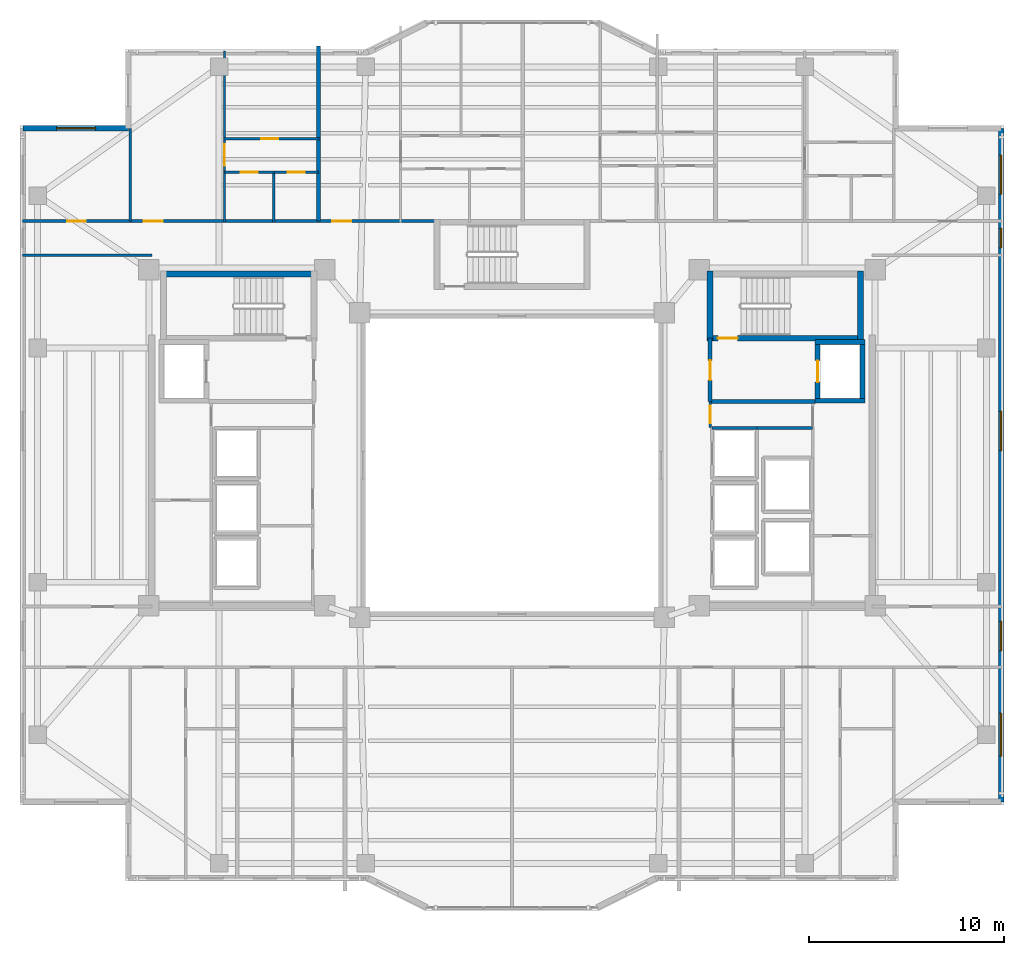
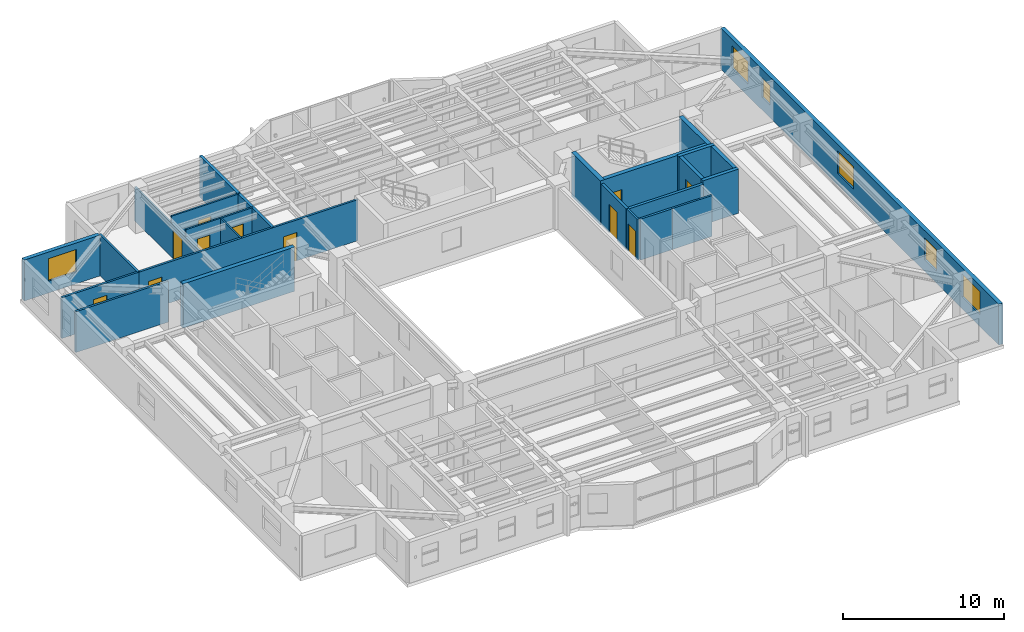
# One storey, part 9 of 16: 25 walls, 11 doors, 6 windows, 17 openings.
"""IFC4 building model written with IfcOpenShell, lengths in metres."""

import ifcopenshell
import ifcopenshell.guid

model = None  # the IFC model being written
_history = None  # IfcOwnerHistory: only IFC2X3 demands one
_inside = {}  # id of a spatial element -> (the spatial element, [elements in it])
_under = {}  # id of a project, library or spatial element -> (it, [spatial elements below it])
_declared = {}  # id of a project -> (the project, [libraries it declares])
_typed = {}  # id of a type object -> (the type object, [elements of that type])
_made_of = {}  # id of a material, layer set ... -> (it, [elements and type objects made of it])


def new_model(schema):
    """Start an empty IFC model of exactly this schema.

    Asked for "IFC4X3", IfcOpenShell would pick the latest addendum, in which some entities
    have other attributes; the version numbers below select the first issue.
    IFC2X3 requires an IfcOwnerHistory on every rooted entity: one is made here for all.
    """
    global model, _history
    if schema == "IFC4X3":
        model = ifcopenshell.file(schema_version=(4, 3, 0, 0))
    else:
        model = ifcopenshell.file(schema=schema)
    _inside.clear()
    _under.clear()
    _declared.clear()
    _typed.clear()
    _made_of.clear()
    _history = None
    if model.schema == "IFC2X3":
        org = make("IfcOrganization", Name="unknown")
        user = make(
            "IfcPersonAndOrganization",
            ThePerson=make("IfcPerson", FamilyName="unknown"),
            TheOrganization=org,
        )
        app = make(
            "IfcApplication",
            ApplicationDeveloper=org,
            Version="unknown",
            ApplicationFullName="unknown",
            ApplicationIdentifier="unknown",
        )
        _history = make(
            "IfcOwnerHistory",
            OwningUser=user,
            OwningApplication=app,
            ChangeAction="ADDED",
            CreationDate=0,
        )
    return model


def make(cls, **values):
    """One entity of the class cls with the attributes given. An attribute that is None is left unset."""
    return model.create_entity(
        cls, **{name: value for name, value in values.items() if value is not None}
    )


def rooted(cls, **values):
    """An entity with a GlobalId (a new one), such as an element, a storey or a relation."""
    return make(cls, GlobalId=ifcopenshell.guid.new(), OwnerHistory=_history, **values)


def si_unit(unit_type, name, prefix=None):
    """IfcSIUnit, for example si_unit("LENGTHUNIT", "METRE", prefix="MILLI")."""
    return make("IfcSIUnit", UnitType=unit_type, Prefix=prefix, Name=name)


def assignment(units):
    """IfcUnitAssignment: the units of a project."""
    return None if units is None else make("IfcUnitAssignment", Units=units)


def point(xyz):
    """IfcCartesianPoint."""
    return None if xyz is None else make("IfcCartesianPoint", Coordinates=xyz)


def direction(xyz):
    """IfcDirection."""
    return None if xyz is None else make("IfcDirection", DirectionRatios=xyz)


def frame(location, z_axis=None, x_axis=None):
    """IfcAxis2Placement3D, a coordinate frame: its origin and axes. An axis left out is left unset."""
    return make(
        "IfcAxis2Placement3D",
        Location=point(location),
        Axis=direction(z_axis),
        RefDirection=direction(x_axis),
    )


def frame_2d(location, x_axis=None):
    """IfcAxis2Placement2D, a coordinate frame in the plane: its origin and x axis."""
    return make(
        "IfcAxis2Placement2D", Location=point(location), RefDirection=direction(x_axis)
    )


def origin():
    """The frame at (0, 0, 0) with its axes left unset."""
    return frame((0.0, 0.0, 0.0))


def place(relative_to, where):
    """IfcLocalPlacement: puts the frame where relative to a parent placement (None: the world)."""
    return make(
        "IfcLocalPlacement", PlacementRelTo=relative_to, RelativePlacement=where
    )


def context(
    kind, dimensions, precision=None, world=None, true_north=None, identifier=None
):
    """IfcGeometricRepresentationContext, for example the 3D "Model" context."""
    return make(
        "IfcGeometricRepresentationContext",
        ContextIdentifier=identifier,
        ContextType=kind,
        CoordinateSpaceDimension=dimensions,
        Precision=precision,
        WorldCoordinateSystem=world,
        TrueNorth=true_north,
    )


def subcontext(parent, identifier, kind, view, scale=None):
    """IfcGeometricRepresentationSubContext, for example "Body" below "Model"."""
    return make(
        "IfcGeometricRepresentationSubContext",
        ContextIdentifier=identifier,
        ContextType=kind,
        ParentContext=parent,
        TargetScale=scale,
        TargetView=view,
    )


def project(units=None, contexts=None):
    """IfcProject with its units and contexts."""
    return rooted(
        "IfcProject",
        Name="project",
        RepresentationContexts=contexts,
        UnitsInContext=assignment(units),
    )


def spatial(cls, under=None, at=None, **own):
    """A site, building, storey or space (cls), placed at a placement, below another one or the project."""
    s = rooted(cls, ObjectPlacement=at, **own)
    if under is not None:
        _under.setdefault(under.id(), (under, []))[1].append(s)
    return s


def profile(cls, at=None, kind="AREA", **sizes):
    """A parametric profile (cls). Its sizes go by their IFC names, for example OverallWidth=200.0."""
    return make(cls, ProfileType=kind, Position=at, **sizes)


def rectangle(**sizes):
    """IfcRectangleProfileDef."""
    return profile("IfcRectangleProfileDef", **sizes)


def extrude(swept, where, along, depth):
    """IfcExtrudedAreaSolid: the profile swept, set in the frame where, extruded along a direction by depth."""
    return make(
        "IfcExtrudedAreaSolid",
        SweptArea=swept,
        Position=where,
        ExtrudedDirection=direction(along),
        Depth=depth,
    )


def shape(context_of_items, identifier, shape_type, items):
    """IfcShapeRepresentation: the items that make up one representation, for example the "Body"."""
    return make(
        "IfcShapeRepresentation",
        ContextOfItems=context_of_items,
        RepresentationIdentifier=identifier,
        RepresentationType=shape_type,
        Items=items,
    )


def material(Name=None, Category=None):
    """IfcMaterial."""
    return make("IfcMaterial", Name=Name, Category=Category)


def layer(
    of_material, thickness, ventilated=None, Name=None, Category=None, Priority=None
):
    """IfcMaterialLayer: one layer of a wall or slab, of a material (None: an air gap)."""
    return make(
        "IfcMaterialLayer",
        Material=of_material,
        LayerThickness=thickness,
        IsVentilated=ventilated,
        Name=Name,
        Category=Category,
        Priority=Priority,
    )


def layer_set(layers, Name=None):
    """IfcMaterialLayerSet."""
    return make("IfcMaterialLayerSet", MaterialLayers=layers, LayerSetName=Name)


def made_of(thing, what):
    """Note that an element or type object is made of a material, layer set ...; save() writes the relation."""
    if what is not None:
        _made_of.setdefault(what.id(), (what, []))[1].append(thing)
    return thing


def type_object(cls, material=None, **own):
    """A type object (cls), such as IfcWallType, which elements share."""
    return made_of(rooted(cls, **own), material)


def element(
    cls,
    number,
    at=None,
    inside=None,
    cuts=None,
    type_object=None,
    material=None,
    context=None,
    identifier="Body",
    shape_type=None,
    held_by="IfcProductDefinitionShape",
    body=None,
    shapes=None,
    **own,
):
    """One element of the class cls, such as IfcWall. Its Tag is "e" and its number.

    at: its placement. inside: the storey or other place that contains it. cuts: it is an
    opening in that element (IfcRelVoidsElement). A single representation is given by context,
    identifier, shape_type and body (its items); several are given by shapes. held_by: the class
    of the entity that holds the representations. save() writes the other relations.
    """
    e = rooted(cls, Tag="e%d" % number, ObjectPlacement=at, **own)
    if body is not None:
        shapes = [shape(context, identifier, shape_type, body)]
    if shapes is not None:
        e.Representation = make(held_by, Representations=shapes)
    if inside is not None:
        _inside.setdefault(inside.id(), (inside, []))[1].append(e)
    if cuts is not None:
        rooted(
            "IfcRelVoidsElement", RelatingBuildingElement=cuts, RelatedOpeningElement=e
        )
    if type_object is not None:
        _typed.setdefault(type_object.id(), (type_object, []))[1].append(e)
    return made_of(e, material)


def fill(opening, filler):
    """IfcRelFillsElement: the door or window that sits in an opening."""
    return rooted(
        "IfcRelFillsElement",
        RelatingOpeningElement=opening,
        RelatedBuildingElement=filler,
    )


def aggregate(whole, parts):
    """IfcRelAggregates: a whole, such as a stair, and the parts it consists of."""
    return rooted("IfcRelAggregates", RelatingObject=whole, RelatedObjects=parts)


def save(model, path):
    """Write the relations noted so far, then the file.

    IfcRelAggregates (storeys below a building ...), IfcRelContainedInSpatialStructure (elements
    in a storey), IfcRelDefinesByType, IfcRelAssociatesMaterial and IfcRelDeclares: one each for
    every whole, place, type object, material and project.
    """
    for whole, parts in _under.values():
        aggregate(whole, parts)
    for where, things in _inside.values():
        rooted(
            "IfcRelContainedInSpatialStructure",
            RelatedElements=things,
            RelatingStructure=where,
        )
    for kind, things in _typed.values():
        rooted("IfcRelDefinesByType", RelatedObjects=things, RelatingType=kind)
    for what, things in _made_of.values():
        rooted("IfcRelAssociatesMaterial", RelatedObjects=things, RelatingMaterial=what)
    for by, libraries in _declared.values():
        rooted("IfcRelDeclares", RelatingContext=by, RelatedDefinitions=libraries)
    model.write(path)


model = new_model("IFC4")

# Units and contexts
model_context = context("Model", 3, precision=1e-05, world=origin(), true_north=direction((0.0, 1.0)))
body_context = subcontext(model_context, "Body", "Model", "MODEL_VIEW")
ifc_project = project(units=[si_unit("LENGTHUNIT", "METRE"), si_unit("AREAUNIT", "SQUARE_METRE"), si_unit("VOLUMEUNIT", "CUBIC_METRE"), si_unit("PLANEANGLEUNIT", "RADIAN"), si_unit("MASSUNIT", "GRAM", prefix="KILO")], contexts=[model_context])

# Site, building, storey
site_placement = place(None, origin())
site = spatial("IfcSite", under=ifc_project, at=site_placement, CompositionType="ELEMENT")
building_placement = place(site_placement, origin())
building = spatial("IfcBuilding", under=site, at=building_placement, Name="Tarnavaz Court Tower", CompositionType="ELEMENT")
storey_placement = place(building_placement, frame((0.0, 0.0, 156.050048828125)))
storey = spatial("IfcBuildingStorey", under=building, at=storey_placement, Name="L42", CompositionType="ELEMENT", Elevation=156.050048828125)

# Wall, opening, door
ifc_material_1 = material(Name="Concrete C50/60", Category="concrete")
ifc_layer_1 = layer(ifc_material_1, 0.25)
ifc_layer_set_1 = layer_set([ifc_layer_1], Name="Concrete C50/60")
wall_type_1 = type_object("IfcWallType", Name="WL-CORE-250-C50", PredefinedType="SHEAR", material=ifc_layer_set_1)
wall_1_placement = place(storey_placement, frame((15.64990234375, 3.175048828125, 0.0), z_axis=(0.0, 0.0, 1.0), x_axis=(0.0, 1.0, 0.0)))
wall_1 = element("IfcWall", 1, at=wall_1_placement, inside=storey, type_object=wall_type_1, Name="L42 Lift FL-E1 Shaft Wall 033", PredefinedType="SHEAR", context=body_context, shape_type="SweptSolid", body=[
    extrude(rectangle(XDim=3.25, YDim=0.25, at=frame_2d((1.625, 0.0))), origin(), (0.0, 0.0, 1.0), 3.349853515625),
])
opening_1_placement = place(wall_1_placement, frame((1.074951171875, 0.0, 0.0)))
opening_1 = element("IfcOpeningElement", 2, at=opening_1_placement, cuts=wall_1, Name="Opening LD1", PredefinedType="OPENING", context=body_context, shape_type="SweptSolid", body=[
    extrude(rectangle(XDim=1.10009765625, YDim=2.14990234375, at=frame_2d((0.550048828125, 1.074951171875))), frame((0.0, 0.135009765625, 0.0), z_axis=(0.0, -1.0, 0.0), x_axis=(1.0, 0.0, 0.0)), (0.0, 0.0, 1.0), 0.27001953125),
])
ifc_material_2 = material(Name="Stainless Steel", Category="steel")
door_type_1 = type_object("IfcDoorType", Name="DR-LD-1100", OperationType="NOTDEFINED", PredefinedType="DOOR", material=ifc_material_2)
door_1_placement = place(opening_1_placement, origin())
door_1 = element("IfcDoor", 3, at=door_1_placement, inside=storey, type_object=door_type_1, Name="L42 Lift Landing Door LD-FL-E1", OperationType="SLIDING_TO_LEFT", OverallHeight=2.14990234375, OverallWidth=1.10009765625, PredefinedType="DOOR", context=body_context, shape_type="SweptSolid", body=[
    extrude(rectangle(XDim=1.10009765625, YDim=2.14990234375, at=frame_2d((0.550048828125, 1.074951171875))), frame((0.0, 0.02490234375, 0.0), z_axis=(0.0, -1.0, 0.0), x_axis=(1.0, 0.0, 0.0)), (0.0, 0.0, 1.0), 0.050048828125),
])
fill(opening_1, door_1)

# Walls
wall_2_placement = place(storey_placement, frame((17.949951171875, 3.175048828125, 0.0), z_axis=(0.0, 0.0, 1.0), x_axis=(0.0, 1.0, 0.0)))
element("IfcWall", 4, at=wall_2_placement, inside=storey, type_object=wall_type_1, Name="L42 Lift FL-E1 Shaft Wall 034", PredefinedType="SHEAR", context=body_context, shape_type="SweptSolid", body=[
    extrude(rectangle(XDim=3.25, YDim=0.25, at=frame_2d((1.625, 0.0))), origin(), (0.0, 0.0, 1.0), 3.349853515625),
])
for number, where, z_axis, x_axis, name in (
    (5, (15.52490234375, 3.300048828125, 0.0), (0.0, 0.0, 1.0), (1.0, 0.0, 0.0), "L42 Lift FL-E1 Shaft Wall 035"),
    (6, (15.52490234375, 6.300048828125, 0.0), (0.0, 0.0, 1.0), (1.0, 0.0, 0.0), "L42 Lift FL-E1 Shaft Wall 036"),
):
    element("IfcWall", number, at=place(storey_placement, frame(where, z_axis=z_axis, x_axis=x_axis)), inside=storey, type_object=wall_type_1, Name=name, PredefinedType="SHEAR", context=body_context, shape_type="SweptSolid", body=[
        extrude(rectangle(XDim=2.550048828125, YDim=0.25, at=frame_2d((1.27490234375, 0.0))), origin(), (0.0, 0.0, 1.0), 3.349853515625),
    ])
ifc_layer_2 = layer(ifc_material_1, 0.300048828125)
ifc_layer_set_2 = layer_set([ifc_layer_2], Name="Concrete C50/60")
wall_type_2 = type_object("IfcWallType", Name="WL-CORE-300-C50", PredefinedType="SHEAR", material=ifc_layer_set_2)
wall_3_placement = place(storey_placement, frame((-18.0, 9.7900390625, 0.0), z_axis=(0.0, 0.0, 1.0), x_axis=(1.0, 0.0, 0.0)))
element("IfcWall", 7, at=wall_3_placement, inside=storey, type_object=wall_type_2, Name="L42 West Stair Core Wall 001", PredefinedType="SHEAR", context=body_context, shape_type="SweptSolid", body=[
    extrude(rectangle(XDim=8.0, YDim=0.300048828125, at=frame_2d((4.0, 0.0))), origin(), (0.0, 0.0, 1.0), 3.349853515625),
])

# Wall, opening, door
wall_4_placement = place(storey_placement, frame((10.0, 6.5, 0.0), z_axis=(0.0, 0.0, 1.0), x_axis=(1.0, 0.0, 0.0)))
wall_4 = element("IfcWall", 8, at=wall_4_placement, inside=storey, type_object=wall_type_2, Name="L42 East Stair Core Wall 006", PredefinedType="SHEAR", context=body_context, shape_type="SweptSolid", body=[
    extrude(rectangle(XDim=8.0, YDim=0.300048828125, at=frame_2d((4.0, 0.0))), origin(), (0.0, 0.0, 1.0), 3.349853515625),
])
opening_2_placement = place(wall_4_placement, frame((0.550048828125, 0.0, 0.0)))
opening_2 = element("IfcOpeningElement", 9, at=opening_2_placement, cuts=wall_4, Name="Opening D01", PredefinedType="OPENING", context=body_context, shape_type="SweptSolid", body=[
    extrude(rectangle(XDim=1.0, YDim=2.14990234375, at=frame_2d((0.5, 1.074951171875))), frame((0.0, 0.159912109375, 0.0), z_axis=(0.0, -1.0, 0.0), x_axis=(1.0, 0.0, 0.0)), (0.0, 0.0, 1.0), 0.320068359375),
])
ifc_material_3 = material(Name="Fire-Rated Hardwood Timber Core", Category="wood")
door_type_2 = type_object("IfcDoorType", Name="DR-FD90-1000", OperationType="NOTDEFINED", PredefinedType="DOOR", material=ifc_material_3)
door_2_placement = place(opening_2_placement, origin())
door_2 = element("IfcDoor", 10, at=door_2_placement, inside=storey, type_object=door_type_2, Name="L42 Stair ST-E1 Exit Door", OperationType="SINGLE_SWING_RIGHT", OverallHeight=2.14990234375, OverallWidth=1.0, PredefinedType="DOOR", context=body_context, shape_type="SweptSolid", body=[
    extrude(rectangle(XDim=1.0, YDim=2.14990234375, at=frame_2d((0.5, 1.074951171875))), frame((0.0, 0.02490234375, 0.0), z_axis=(0.0, -1.0, 0.0), x_axis=(1.0, 0.0, 0.0)), (0.0, 0.0, 1.0), 0.050048828125),
])
fill(opening_2, door_2)

# Walls
for number, where, z_axis, x_axis, name in (
    (11, (10.14990234375, 6.35009765625, 0.0), (0.0, 0.0, 1.0), (0.0, 1.0, 0.0), "L42 East Stair Core Wall 007"),
    (12, (17.85009765625, 6.35009765625, 0.0), (0.0, 0.0, 1.0), (0.0, 1.0, 0.0), "L42 East Stair Core Wall 008"),
):
    element("IfcWall", number, at=place(storey_placement, frame(where, z_axis=z_axis, x_axis=x_axis)), inside=storey, type_object=wall_type_2, Name=name, PredefinedType="SHEAR", context=body_context, shape_type="SweptSolid", body=[
        extrude(rectangle(XDim=3.58984375, YDim=0.300048828125, at=frame_2d((1.794921875, 0.0))), origin(), (0.0, 0.0, 1.0), 3.349853515625),
    ])

# Wall, opening, window
ifc_material_4 = material(Name="Precast Concrete C40/50", Category="concrete")
ifc_layer_3 = layer(ifc_material_4, 0.280029296875)
ifc_layer_set_3 = layer_set([ifc_layer_3], Name="Precast Concrete C40/50")
wall_type_3 = type_object("IfcWallType", Name="WL-EXT-280", PredefinedType="SOLIDWALL", material=ifc_layer_set_3)
wall_5_placement = place(storey_placement, frame((-25.050048828125, 17.25, 0.0), z_axis=(0.0, 0.0, 1.0), x_axis=(1.0, 0.0, 0.0)))
wall_5 = element("IfcWall", 13, at=wall_5_placement, inside=storey, type_object=wall_type_3, Name="L42 Exterior Terracotta Facade Wall 03", PredefinedType="SOLIDWALL", context=body_context, shape_type="SweptSolid", body=[
    extrude(rectangle(XDim=5.400146484375, YDim=0.280029296875, at=frame_2d((2.7001953125, 0.0))), origin(), (0.0, 0.0, 1.0), 3.099853515625),
])
opening_3_placement = place(wall_5_placement, frame((1.72509765625, 0.0, 0.89990234375)))
opening_3 = element("IfcOpeningElement", 14, at=opening_3_placement, cuts=wall_5, Name="Opening W08", PredefinedType="OPENING", context=body_context, shape_type="SweptSolid", body=[
    extrude(rectangle(XDim=2.0, YDim=1.699951171875, at=frame_2d((1.0, 0.85009765625))), frame((0.0, 0.14990234375, 0.0), z_axis=(0.0, -1.0, 0.0), x_axis=(1.0, 0.0, 0.0)), (0.0, 0.0, 1.0), 0.300048828125),
])
ifc_material_5 = material(Name="Double-Glazed Solar Low-E Glass", Category="glass")
window_type_1 = type_object("IfcWindowType", Name="WN-APT-2000", PartitioningType="DOUBLE_PANEL_VERTICAL", PredefinedType="WINDOW", material=ifc_material_5)
window_1_placement = place(opening_3_placement, origin())
window_1 = element("IfcWindow", 15, at=window_1_placement, inside=storey, type_object=window_type_1, Name="L42 North-West Corner Sunroom Study Window", OverallHeight=1.699951171875, OverallWidth=2.0, PartitioningType="SINGLE_PANEL", PredefinedType="WINDOW", context=body_context, shape_type="SweptSolid", body=[
    extrude(rectangle(XDim=2.0, YDim=1.699951171875, at=frame_2d((1.0, 0.85009765625))), frame((0.0, 0.030029296875, 0.0), z_axis=(0.0, -1.0, 0.0), x_axis=(1.0, 0.0, 0.0)), (0.0, 0.0, 1.0), 0.06005859375),
])
fill(opening_3, window_1)

# Wall, openings, windows
wall_6_placement = place(storey_placement, frame((25.050048828125, 17.25, 0.0), z_axis=(0.0, 0.0, 1.0), x_axis=(0.0, -1.0, 0.0)))
wall_6 = element("IfcWall", 16, at=wall_6_placement, inside=storey, type_object=wall_type_3, Name="L42 Exterior Terracotta Facade Wall 12", PredefinedType="SOLIDWALL", context=body_context, shape_type="SweptSolid", body=[
    extrude(rectangle(XDim=34.5, YDim=0.280029296875, at=frame_2d((17.25, 0.0))), origin(), (0.0, 0.0, 1.0), 3.099853515625),
])
opening_4_placement = place(wall_6_placement, frame((1.375, 0.0, 0.89990234375)))
opening_4 = element("IfcOpeningElement", 17, at=opening_4_placement, cuts=wall_6, Name="Opening W08", PredefinedType="OPENING", context=body_context, shape_type="SweptSolid", body=[
    extrude(rectangle(XDim=2.0, YDim=1.699951171875, at=frame_2d((1.0, 0.85009765625))), frame((0.0, 0.14990234375, 0.0), z_axis=(0.0, -1.0, 0.0), x_axis=(1.0, 0.0, 0.0)), (0.0, 0.0, 1.0), 0.300048828125),
])
opening_5_placement = place(wall_6_placement, frame((5.125, 0.0, 0.949951171875)))
opening_5 = element("IfcOpeningElement", 18, at=opening_5_placement, cuts=wall_6, Name="Opening W14", PredefinedType="OPENING", context=body_context, shape_type="SweptSolid", body=[
    extrude(rectangle(XDim=1.0, YDim=1.5, at=frame_2d((0.5, 0.75))), frame((0.0, 0.14990234375, 0.0), z_axis=(0.0, -1.0, 0.0), x_axis=(1.0, 0.0, 0.0)), (0.0, 0.0, 1.0), 0.300048828125),
])
opening_6_placement = place(wall_6_placement, frame((14.5, 0.0, 0.89990234375)))
opening_6 = element("IfcOpeningElement", 19, at=opening_6_placement, cuts=wall_6, Name="Opening W08", PredefinedType="OPENING", context=body_context, shape_type="SweptSolid", body=[
    extrude(rectangle(XDim=2.0, YDim=1.699951171875, at=frame_2d((1.0, 0.85009765625))), frame((0.0, 0.14990234375, 0.0), z_axis=(0.0, -1.0, 0.0), x_axis=(1.0, 0.0, 0.0)), (0.0, 0.0, 1.0), 0.300048828125),
])
opening_7_placement = place(wall_6_placement, frame((25.257568359375, 0.0, 0.89990234375)))
opening_7 = element("IfcOpeningElement", 20, at=opening_7_placement, cuts=wall_6, Name="Opening W03", PredefinedType="OPENING", context=body_context, shape_type="SweptSolid", body=[
    extrude(rectangle(XDim=1.5, YDim=1.64990234375, at=frame_2d((0.75, 0.824951171875))), frame((0.0, 0.14990234375, 0.0), z_axis=(0.0, -1.0, 0.0), x_axis=(1.0, 0.0, 0.0)), (0.0, 0.0, 1.0), 0.300048828125),
])
opening_8_placement = place(wall_6_placement, frame((29.949951171875, 0.0, 0.89990234375)))
opening_8 = element("IfcOpeningElement", 21, at=opening_8_placement, cuts=wall_6, Name="Opening W07", PredefinedType="OPENING", context=body_context, shape_type="SweptSolid", body=[
    extrude(rectangle(XDim=2.199951171875, YDim=1.75, at=frame_2d((1.10009765625, 0.875))), frame((0.0, 0.14990234375, 0.0), z_axis=(0.0, -1.0, 0.0), x_axis=(1.0, 0.0, 0.0)), (0.0, 0.0, 1.0), 0.300048828125),
])
window_type_2 = type_object("IfcWindowType", Name="WN-APT-1000", PartitioningType="SINGLE_PANEL", PredefinedType="WINDOW", material=ifc_material_5)
window_2_placement = place(opening_5_placement, origin())
window_2 = element("IfcWindow", 22, at=window_2_placement, inside=storey, type_object=window_type_2, Name="L42 North-East Corner Corridor Window", OverallHeight=1.5, OverallWidth=1.0, PartitioningType="SINGLE_PANEL", PredefinedType="WINDOW", context=body_context, shape_type="SweptSolid", body=[
    extrude(rectangle(XDim=1.0, YDim=1.5, at=frame_2d((0.5, 0.75))), frame((0.0, 0.030029296875, 0.0), z_axis=(0.0, -1.0, 0.0), x_axis=(1.0, 0.0, 0.0)), (0.0, 0.0, 1.0), 0.06005859375),
])
fill(opening_5, window_2)
window_type_3 = type_object("IfcWindowType", Name="WN-APT-1500", PartitioningType="DOUBLE_PANEL_VERTICAL", PredefinedType="WINDOW", material=ifc_material_5)
window_3_placement = place(opening_7_placement, origin())
window_3 = element("IfcWindow", 23, at=window_3_placement, inside=storey, type_object=window_type_3, Name="L42 South-East Corner Corridor Window", OverallHeight=1.64990234375, OverallWidth=1.5, PartitioningType="SINGLE_PANEL", PredefinedType="WINDOW", context=body_context, shape_type="SweptSolid", body=[
    extrude(rectangle(XDim=1.5, YDim=1.64990234375, at=frame_2d((0.75, 0.824951171875))), frame((0.0, 0.030029296875, 0.0), z_axis=(0.0, -1.0, 0.0), x_axis=(1.0, 0.0, 0.0)), (0.0, 0.0, 1.0), 0.06005859375),
])
fill(opening_7, window_3)
window_4_placement = place(opening_4_placement, origin())
window_4 = element("IfcWindow", 24, at=window_4_placement, inside=storey, type_object=window_type_1, Name="L42 North-East Corner Sunroom Study Window", OverallHeight=1.699951171875, OverallWidth=2.0, PartitioningType="SINGLE_PANEL", PredefinedType="WINDOW", context=body_context, shape_type="SweptSolid", body=[
    extrude(rectangle(XDim=2.0, YDim=1.699951171875, at=frame_2d((1.0, 0.85009765625))), frame((0.0, 0.030029296875, 0.0), z_axis=(0.0, -1.0, 0.0), x_axis=(1.0, 0.0, 0.0)), (0.0, 0.0, 1.0), 0.06005859375),
])
fill(opening_4, window_4)
window_5_placement = place(opening_6_placement, origin())
window_5 = element("IfcWindow", 25, at=window_5_placement, inside=storey, type_object=window_type_1, Name="L42 East Wing Resident Fitness Lounge Window", OverallHeight=1.699951171875, OverallWidth=2.0, PartitioningType="SINGLE_PANEL", PredefinedType="WINDOW", context=body_context, shape_type="SweptSolid", body=[
    extrude(rectangle(XDim=2.0, YDim=1.699951171875, at=frame_2d((1.0, 0.85009765625))), frame((0.0, 0.030029296875, 0.0), z_axis=(0.0, -1.0, 0.0), x_axis=(1.0, 0.0, 0.0)), (0.0, 0.0, 1.0), 0.06005859375),
])
fill(opening_6, window_5)
window_type_4 = type_object("IfcWindowType", Name="WN-APT-2200", PartitioningType="TRIPLE_PANEL_VERTICAL", PredefinedType="WINDOW", material=ifc_material_5)
window_6_placement = place(opening_8_placement, origin())
window_6 = element("IfcWindow", 26, at=window_6_placement, inside=storey, type_object=window_type_4, Name="L42 South-East Corner Reading Room Window", OverallHeight=1.75, OverallWidth=2.199951171875, PartitioningType="SINGLE_PANEL", PredefinedType="WINDOW", context=body_context, shape_type="SweptSolid", body=[
    extrude(rectangle(XDim=2.199951171875, YDim=1.75, at=frame_2d((1.10009765625, 0.875))), frame((0.0, 0.030029296875, 0.0), z_axis=(0.0, -1.0, 0.0), x_axis=(1.0, 0.0, 0.0)), (0.0, 0.0, 1.0), 0.06005859375),
])
fill(opening_8, window_6)

# Wall, openings, doors
ifc_material_6 = material(Name="Gypsum Fire-Board on Acoustic Metal Stud", Category="masonry")
ifc_layer_4 = layer(ifc_material_6, 0.14990234375)
ifc_layer_set_4 = layer_set([ifc_layer_4], Name="Gypsum Fire-Board on Acoustic Metal Stud")
wall_type_4 = type_object("IfcWallType", Name="WL-FIRE-150", PredefinedType="PARTITIONING", material=ifc_layer_set_4)
wall_7_placement = place(storey_placement, frame((-19.550048828125, 12.5, 0.0), z_axis=(0.0, 0.0, 1.0), x_axis=(1.0, 0.0, 0.0)))
wall_7 = element("IfcWall", 27, at=wall_7_placement, inside=storey, type_object=wall_type_4, Name="L42 NW Wing Corridor Wall 071", PredefinedType="PARTITIONING", context=body_context, shape_type="SweptSolid", body=[
    extrude(rectangle(XDim=15.699951171875, YDim=0.14990234375, at=frame_2d((7.85009765625, 0.0))), origin(), (0.0, 0.0, 1.0), 3.099853515625),
])
opening_9_placement = place(wall_7_placement, frame((0.699951171875, 0.0, 0.0)))
opening_9 = element("IfcOpeningElement", 28, at=opening_9_placement, cuts=wall_7, Name="Opening D06", PredefinedType="OPENING", context=body_context, shape_type="SweptSolid", body=[
    extrude(rectangle(XDim=0.9599609375, YDim=2.14990234375, at=frame_2d((0.47998046875, 1.074951171875))), frame((0.0, 0.0849609375, 0.0), z_axis=(0.0, -1.0, 0.0), x_axis=(1.0, 0.0, 0.0)), (0.0, 0.0, 1.0), 0.169921875),
])
opening_10_placement = place(wall_7_placement, frame((10.347900390625, 0.0, 0.0)))
opening_10 = element("IfcOpeningElement", 29, at=opening_10_placement, cuts=wall_7, Name="Opening D06", PredefinedType="OPENING", context=body_context, shape_type="SweptSolid", body=[
    extrude(rectangle(XDim=0.9599609375, YDim=2.14990234375, at=frame_2d((0.47998046875, 1.074951171875))), frame((0.0, 0.0849609375, 0.0), z_axis=(0.0, -1.0, 0.0), x_axis=(1.0, 0.0, 0.0)), (0.0, 0.0, 1.0), 0.169921875),
])
door_type_3 = type_object("IfcDoorType", Name="DR-FD60-950", OperationType="NOTDEFINED", PredefinedType="DOOR", material=ifc_material_3)
door_3_placement = place(opening_9_placement, origin())
door_3 = element("IfcDoor", 30, at=door_3_placement, inside=storey, type_object=door_type_3, Name="L42 Flat 01 Entrance Door", OperationType="SINGLE_SWING_LEFT", OverallHeight=2.14990234375, OverallWidth=0.9599609375, PredefinedType="DOOR", context=body_context, shape_type="SweptSolid", body=[
    extrude(rectangle(XDim=0.9599609375, YDim=2.14990234375, at=frame_2d((0.47998046875, 1.074951171875))), frame((0.0, 0.02490234375, 0.0), z_axis=(0.0, -1.0, 0.0), x_axis=(1.0, 0.0, 0.0)), (0.0, 0.0, 1.0), 0.050048828125),
])
fill(opening_9, door_3)
door_4_placement = place(opening_10_placement, origin())
door_4 = element("IfcDoor", 31, at=door_4_placement, inside=storey, type_object=door_type_3, Name="L42 Flat 02 Entrance Door", OperationType="SINGLE_SWING_RIGHT", OverallHeight=2.14990234375, OverallWidth=0.9599609375, PredefinedType="DOOR", context=body_context, shape_type="SweptSolid", body=[
    extrude(rectangle(XDim=0.9599609375, YDim=2.14990234375, at=frame_2d((0.47998046875, 1.074951171875))), frame((0.0, 0.02490234375, 0.0), z_axis=(0.0, -1.0, 0.0), x_axis=(1.0, 0.0, 0.0)), (0.0, 0.0, 1.0), 0.050048828125),
])
fill(opening_10, door_4)

# Wall
wall_8_placement = place(storey_placement, frame((-25.080078125, 10.75, 0.0), z_axis=(0.0, 0.0, 1.0), x_axis=(1.0, 0.0, 0.0)))
element("IfcWall", 32, at=wall_8_placement, inside=storey, type_object=wall_type_4, Name="L42 Interior Partition 119", PredefinedType="PARTITIONING", context=body_context, shape_type="SweptSolid", body=[
    extrude(rectangle(XDim=6.630126953125, YDim=0.14990234375, at=frame_2d((3.31494140625, 0.0))), origin(), (0.0, 0.0, 1.0), 3.099853515625),
])

# Wall, opening, door
wall_9_placement = place(storey_placement, frame((-25.080078125, 12.5, 0.0), z_axis=(0.0, 0.0, 1.0), x_axis=(1.0, 0.0, 0.0)))
wall_9 = element("IfcWall", 33, at=wall_9_placement, inside=storey, type_object=wall_type_4, Name="L42 Interior Partition 126", PredefinedType="PARTITIONING", context=body_context, shape_type="SweptSolid", body=[
    extrude(rectangle(XDim=5.530029296875, YDim=0.14990234375, at=frame_2d((2.76513671875, 0.0))), origin(), (0.0, 0.0, 1.0), 3.099853515625),
])
opening_11_placement = place(wall_9_placement, frame((2.2900390625, 0.0, 0.0)))
opening_11 = element("IfcOpeningElement", 34, at=opening_11_placement, cuts=wall_9, Name="Opening D13", PredefinedType="OPENING", context=body_context, shape_type="SweptSolid", body=[
    extrude(rectangle(XDim=0.949951171875, YDim=2.14990234375, at=frame_2d((0.47509765625, 1.074951171875))), frame((0.0, 0.0849609375, 0.0), z_axis=(0.0, -1.0, 0.0), x_axis=(1.0, 0.0, 0.0)), (0.0, 0.0, 1.0), 0.169921875),
])
ifc_material_7 = material(Name="Engineered Oak Timber", Category="wood")
door_type_4 = type_object("IfcDoorType", Name="DR-INT-950", OperationType="NOTDEFINED", PredefinedType="DOOR", material=ifc_material_7)
door_5_placement = place(opening_11_placement, origin())
door_5 = element("IfcDoor", 35, at=door_5_placement, inside=storey, type_object=door_type_4, Name="L42 NW Sunroom Door", OperationType="SINGLE_SWING_LEFT", OverallHeight=2.14990234375, OverallWidth=0.949951171875, PredefinedType="DOOR", context=body_context, shape_type="SweptSolid", body=[
    extrude(rectangle(XDim=0.949951171875, YDim=2.14990234375, at=frame_2d((0.47509765625, 1.074951171875))), frame((0.0, 0.02490234375, 0.0), z_axis=(0.0, -1.0, 0.0), x_axis=(1.0, 0.0, 0.0)), (0.0, 0.0, 1.0), 0.050048828125),
])
fill(opening_11, door_5)

# Wall
ifc_material_8 = material(Name="Autoclaved Aerated Concrete Blockwork", Category="masonry")
ifc_layer_5 = layer(ifc_material_8, 0.199951171875)
ifc_layer_set_5 = layer_set([ifc_layer_5], Name="Autoclaved Aerated Concrete Blockwork")
wall_type_5 = type_object("IfcWallType", Name="WL-FIRE-200", PredefinedType="SOLIDWALL", material=ifc_layer_set_5)
wall_10_placement = place(storey_placement, frame((10.14990234375, 3.25, 0.0), z_axis=(0.0, 0.0, 1.0), x_axis=(1.0, 0.0, 0.0)))
element("IfcWall", 36, at=wall_10_placement, inside=storey, type_object=wall_type_5, Name="L42 East Firefighting Lobby Wall 015", PredefinedType="SOLIDWALL", context=body_context, shape_type="SweptSolid", body=[
    extrude(rectangle(XDim=5.400146484375, YDim=0.199951171875, at=frame_2d((2.7001953125, 0.0))), origin(), (0.0, 0.0, 1.0), 3.099853515625),
])

# Wall, opening, door
wall_11_placement = place(storey_placement, frame((10.14990234375, 3.25, 0.0), z_axis=(0.0, 0.0, 1.0), x_axis=(0.0, 1.0, 0.0)))
wall_11 = element("IfcWall", 37, at=wall_11_placement, inside=storey, type_object=wall_type_5, Name="L42 East Firefighting Lobby Wall 016", PredefinedType="SOLIDWALL", context=body_context, shape_type="SweptSolid", body=[
    extrude(rectangle(XDim=3.25, YDim=0.199951171875, at=frame_2d((1.625, 0.0))), origin(), (0.0, 0.0, 1.0), 3.099853515625),
])
opening_12_placement = place(wall_11_placement, frame((1.10009765625, 0.0, 0.0)))
opening_12 = element("IfcOpeningElement", 38, at=opening_12_placement, cuts=wall_11, Name="Opening D05", PredefinedType="OPENING", context=body_context, shape_type="SweptSolid", body=[
    extrude(rectangle(XDim=1.02001953125, YDim=2.14990234375, at=frame_2d((0.510009765625, 1.074951171875))), frame((0.0, 0.10986328125, 0.0), z_axis=(0.0, -1.0, 0.0), x_axis=(1.0, 0.0, 0.0)), (0.0, 0.0, 1.0), 0.219970703125),
])
door_type_5 = type_object("IfcDoorType", Name="DR-FD60-1000", OperationType="NOTDEFINED", PredefinedType="DOOR", material=ifc_material_3)
door_6_placement = place(opening_12_placement, origin())
door_6 = element("IfcDoor", 39, at=door_6_placement, inside=storey, type_object=door_type_5, Name="L42 East Firefighting Lobby Door", OperationType="SINGLE_SWING_LEFT", OverallHeight=2.14990234375, OverallWidth=1.02001953125, PredefinedType="DOOR", context=body_context, shape_type="SweptSolid", body=[
    extrude(rectangle(XDim=1.02001953125, YDim=2.14990234375, at=frame_2d((0.510009765625, 1.074951171875))), frame((0.0, 0.02490234375, 0.0), z_axis=(0.0, -1.0, 0.0), x_axis=(1.0, 0.0, 0.0)), (0.0, 0.0, 1.0), 0.050048828125),
])
fill(opening_12, door_6)

# Wall
wall_12_placement = place(storey_placement, frame((-9.902099609375, 12.5, 0.0), z_axis=(0.0, 0.0, 1.0), x_axis=(0.0, 1.0, 0.0)))
element("IfcWall", 40, at=wall_12_placement, inside=storey, type_object=wall_type_5, Name="L42 Party Wall 076", PredefinedType="SOLIDWALL", context=body_context, shape_type="SweptSolid", body=[
    extrude(rectangle(XDim=8.970947265625, YDim=0.199951171875, at=frame_2d((4.4853515625, 0.0))), origin(), (0.0, 0.0, 1.0), 3.099853515625),
])

# Wall, opening, door
ifc_material_9 = material(Name="Moisture-Resistant Gypsum Board Partition", Category="masonry")
ifc_layer_6 = layer(ifc_material_9, 0.1201171875)
ifc_layer_set_6 = layer_set([ifc_layer_6], Name="Moisture-Resistant Gypsum Board Partition")
wall_type_6 = type_object("IfcWallType", Name="WL-PART-120", PredefinedType="PARTITIONING", material=ifc_layer_set_6)
wall_13_placement = place(storey_placement, frame((-14.72607421875, 12.43994140625, 0.0), z_axis=(0.0, 0.0, 1.0), x_axis=(0.0, 1.0, 0.0)))
wall_13 = element("IfcWall", 41, at=wall_13_placement, inside=storey, type_object=wall_type_6, Name="L42 Interior Partition 077", PredefinedType="PARTITIONING", context=body_context, shape_type="SweptSolid", body=[
    extrude(rectangle(XDim=8.760009765625, YDim=0.1201171875, at=frame_2d((4.3798828125, 0.0))), origin(), (0.0, 0.0, 1.0), 2.5849609375),
])
opening_13_placement = place(wall_13_placement, frame((2.905029296875, 0.0, 0.0)))
opening_13 = element("IfcOpeningElement", 42, at=opening_13_placement, cuts=wall_13, Name="Opening D12", PredefinedType="OPENING", context=body_context, shape_type="SweptSolid", body=[
    extrude(rectangle(XDim=1.080078125, YDim=2.14990234375, at=frame_2d((0.5400390625, 1.074951171875))), frame((0.0, 0.070068359375, 0.0), z_axis=(0.0, -1.0, 0.0), x_axis=(1.0, 0.0, 0.0)), (0.0, 0.0, 1.0), 0.14013671875),
])
door_type_6 = type_object("IfcDoorType", Name="DR-INT-1100", OperationType="NOTDEFINED", PredefinedType="DOOR", material=ifc_material_7)
door_7_placement = place(opening_13_placement, origin())
door_7 = element("IfcDoor", 43, at=door_7_placement, inside=storey, type_object=door_type_6, Name="L42 Flat 01 Foyer Door", OperationType="SINGLE_SWING_RIGHT", OverallHeight=2.14990234375, OverallWidth=1.080078125, PredefinedType="DOOR", context=body_context, shape_type="SweptSolid", body=[
    extrude(rectangle(XDim=1.080078125, YDim=2.14990234375, at=frame_2d((0.5400390625, 1.074951171875))), frame((0.0, 0.02490234375, 0.0), z_axis=(0.0, -1.0, 0.0), x_axis=(1.0, 0.0, 0.0)), (0.0, 0.0, 1.0), 0.050048828125),
])
fill(opening_13, door_7)

wall_14_placement = place(storey_placement, frame((-14.72607421875, 15.0, 0.0), z_axis=(0.0, 0.0, 1.0), x_axis=(1.0, 0.0, 0.0)))
wall_14 = element("IfcWall", 44, at=wall_14_placement, inside=storey, type_object=wall_type_6, Name="L42 Interior Partition 078", PredefinedType="PARTITIONING", context=body_context, shape_type="SweptSolid", body=[
    extrude(rectangle(XDim=2.525146484375, YDim=0.1201171875, at=frame_2d((1.2626953125, 0.0))), origin(), (0.0, 0.0, 1.0), 3.099853515625),
])
opening_14_placement = place(wall_14_placement, frame((0.822998046875, 0.0, 0.0)))
opening_14 = element("IfcOpeningElement", 45, at=opening_14_placement, cuts=wall_14, Name="Opening D14", PredefinedType="OPENING", context=body_context, shape_type="SweptSolid", body=[
    extrude(rectangle(XDim=0.8798828125, YDim=2.10009765625, at=frame_2d((0.43994140625, 1.050048828125))), frame((0.0, 0.070068359375, 0.0), z_axis=(0.0, -1.0, 0.0), x_axis=(1.0, 0.0, 0.0)), (0.0, 0.0, 1.0), 0.14013671875),
])
door_type_7 = type_object("IfcDoorType", Name="DR-INT-900", OperationType="NOTDEFINED", PredefinedType="DOOR", material=ifc_material_7)
door_8_placement = place(opening_14_placement, origin())
door_8 = element("IfcDoor", 46, at=door_8_placement, inside=storey, type_object=door_type_7, Name="L42 Flat 01 Kitchen Door", OperationType="SINGLE_SWING_LEFT", OverallHeight=2.10009765625, OverallWidth=0.8798828125, PredefinedType="DOOR", context=body_context, shape_type="SweptSolid", body=[
    extrude(rectangle(XDim=0.8798828125, YDim=2.10009765625, at=frame_2d((0.43994140625, 1.050048828125))), frame((0.0, 0.02490234375, 0.0), z_axis=(0.0, -1.0, 0.0), x_axis=(1.0, 0.0, 0.0)), (0.0, 0.0, 1.0), 0.050048828125),
])
fill(opening_14, door_8)

wall_15_placement = place(storey_placement, frame((-12.200927734375, 15.0, 0.0), z_axis=(0.0, 0.0, 1.0), x_axis=(1.0, 0.0, 0.0)))
wall_15 = element("IfcWall", 47, at=wall_15_placement, inside=storey, type_object=wall_type_6, Name="L42 Interior Partition 079", PredefinedType="PARTITIONING", context=body_context, shape_type="SweptSolid", body=[
    extrude(rectangle(XDim=2.298828125, YDim=0.1201171875, at=frame_2d((1.1494140625, 0.0))), origin(), (0.0, 0.0, 1.0), 3.099853515625),
])
opening_15_placement = place(wall_15_placement, frame((0.7099609375, 0.0, 0.0)))
opening_15 = element("IfcOpeningElement", 48, at=opening_15_placement, cuts=wall_15, Name="Opening D14", PredefinedType="OPENING", context=body_context, shape_type="SweptSolid", body=[
    extrude(rectangle(XDim=0.8798828125, YDim=2.10009765625, at=frame_2d((0.43994140625, 1.050048828125))), frame((0.0, 0.070068359375, 0.0), z_axis=(0.0, -1.0, 0.0), x_axis=(1.0, 0.0, 0.0)), (0.0, 0.0, 1.0), 0.14013671875),
])
door_9_placement = place(opening_15_placement, origin())
door_9 = element("IfcDoor", 49, at=door_9_placement, inside=storey, type_object=door_type_7, Name="L42 Flat 01 Bathroom Door", OperationType="SINGLE_SWING_RIGHT", OverallHeight=2.10009765625, OverallWidth=0.8798828125, PredefinedType="DOOR", context=body_context, shape_type="SweptSolid", body=[
    extrude(rectangle(XDim=0.8798828125, YDim=2.10009765625, at=frame_2d((0.43994140625, 1.050048828125))), frame((0.0, 0.02490234375, 0.0), z_axis=(0.0, -1.0, 0.0), x_axis=(1.0, 0.0, 0.0)), (0.0, 0.0, 1.0), 0.050048828125),
])
fill(opening_15, door_9)

wall_16_placement = place(storey_placement, frame((-14.785888671875, 16.7099609375, 0.0), z_axis=(0.0, 0.0, 1.0), x_axis=(1.0, 0.0, 0.0)))
wall_16 = element("IfcWall", 50, at=wall_16_placement, inside=storey, type_object=wall_type_6, Name="L42 Interior Partition 080", PredefinedType="PARTITIONING", context=body_context, shape_type="SweptSolid", body=[
    extrude(rectangle(XDim=4.94384765625, YDim=0.1201171875, at=frame_2d((2.471923828125, 0.0))), origin(), (0.0, 0.0, 1.0), 3.099853515625),
])
opening_16_placement = place(wall_16_placement, frame((1.94189453125, 0.0, 0.0)))
opening_16 = element("IfcOpeningElement", 51, at=opening_16_placement, cuts=wall_16, Name="Opening D14", PredefinedType="OPENING", context=body_context, shape_type="SweptSolid", body=[
    extrude(rectangle(XDim=0.8798828125, YDim=2.10009765625, at=frame_2d((0.43994140625, 1.050048828125))), frame((0.0, 0.070068359375, 0.0), z_axis=(0.0, -1.0, 0.0), x_axis=(1.0, 0.0, 0.0)), (0.0, 0.0, 1.0), 0.14013671875),
])
door_10_placement = place(opening_16_placement, origin())
door_10 = element("IfcDoor", 52, at=door_10_placement, inside=storey, type_object=door_type_7, Name="L42 Flat 01 Bedroom 1 Door", OperationType="SINGLE_SWING_LEFT", OverallHeight=2.10009765625, OverallWidth=0.8798828125, PredefinedType="DOOR", context=body_context, shape_type="SweptSolid", body=[
    extrude(rectangle(XDim=0.8798828125, YDim=2.10009765625, at=frame_2d((0.43994140625, 1.050048828125))), frame((0.0, 0.02490234375, 0.0), z_axis=(0.0, -1.0, 0.0), x_axis=(1.0, 0.0, 0.0)), (0.0, 0.0, 1.0), 0.050048828125),
])
fill(opening_16, door_10)

# Walls
wall_17_placement = place(storey_placement, frame((-12.200927734375, 12.43994140625, 0.0), z_axis=(0.0, 0.0, 1.0), x_axis=(0.0, 1.0, 0.0)))
element("IfcWall", 53, at=wall_17_placement, inside=storey, type_object=wall_type_6, Name="L42 Interior Partition 081", PredefinedType="PARTITIONING", context=body_context, shape_type="SweptSolid", body=[
    extrude(rectangle(XDim=2.6201171875, YDim=0.1201171875, at=frame_2d((1.31005859375, 0.0))), origin(), (0.0, 0.0, 1.0), 3.099853515625),
])
ifc_material_10 = material(Name="Gypsum Plasterboard Acoustic Partition", Category="masonry")
ifc_layer_7 = layer(ifc_material_10, 0.139892578125)
ifc_layer_set_7 = layer_set([ifc_layer_7], Name="Gypsum Plasterboard Acoustic Partition")
wall_type_7 = type_object("IfcWallType", Name="WL-PART-150", PredefinedType="PARTITIONING", material=ifc_layer_set_7)
wall_18_placement = place(storey_placement, frame((12.550048828125, 1.89990234375, 0.0), z_axis=(0.0, 0.0, 1.0), x_axis=(1.0, 0.0, 0.0)))
element("IfcWall", 54, at=wall_18_placement, inside=storey, type_object=wall_type_7, Name="L42 Interior Partition 067", PredefinedType="PARTITIONING", context=body_context, shape_type="SweptSolid", body=[
    extrude(rectangle(XDim=2.849853515625, YDim=0.139892578125, at=frame_2d((1.4248046875, 0.0))), origin(), (0.0, 0.0, 1.0), 3.099853515625),
])

# Wall, opening, door
wall_19_placement = place(storey_placement, frame((10.14990234375, 1.919921875, 0.0), z_axis=(0.0, 0.0, 1.0), x_axis=(0.0, 1.0, 0.0)))
wall_19 = element("IfcWall", 55, at=wall_19_placement, inside=storey, type_object=wall_type_7, Name="L42 Interior Partition 068", PredefinedType="PARTITIONING", context=body_context, shape_type="SweptSolid", body=[
    extrude(rectangle(XDim=1.330078125, YDim=0.139892578125, at=frame_2d((0.6650390625, 0.0))), origin(), (0.0, 0.0, 1.0), 3.099853515625),
])
opening_17_placement = place(wall_19_placement, frame((0.219970703125, 0.0, 0.0)))
opening_17 = element("IfcOpeningElement", 56, at=opening_17_placement, cuts=wall_19, Name="Opening D09", PredefinedType="OPENING", context=body_context, shape_type="SweptSolid", body=[
    extrude(rectangle(XDim=0.89990234375, YDim=2.080078125, at=frame_2d((0.449951171875, 1.0400390625))), frame((0.0, 0.079833984375, 0.0), z_axis=(0.0, -1.0, 0.0), x_axis=(1.0, 0.0, 0.0)), (0.0, 0.0, 1.0), 0.159912109375),
])
door_type_8 = type_object("IfcDoorType", Name="DR-FD30-900", OperationType="NOTDEFINED", PredefinedType="DOOR", material=ifc_material_3)
door_11_placement = place(opening_17_placement, origin())
door_11 = element("IfcDoor", 57, at=door_11_placement, inside=storey, type_object=door_type_8, Name="L42 East Core Service Lobby Door", OperationType="SINGLE_SWING_RIGHT", OverallHeight=2.080078125, OverallWidth=0.89990234375, PredefinedType="DOOR", context=body_context, shape_type="SweptSolid", body=[
    extrude(rectangle(XDim=0.89990234375, YDim=2.080078125, at=frame_2d((0.449951171875, 1.0400390625))), frame((0.0, 0.02490234375, 0.0), z_axis=(0.0, -1.0, 0.0), x_axis=(1.0, 0.0, 0.0)), (0.0, 0.0, 1.0), 0.050048828125),
])
fill(opening_17, door_11)

# Walls
wall_20_placement = place(storey_placement, frame((-19.550048828125, 12.5, 0.0), z_axis=(0.0, 0.0, 1.0), x_axis=(0.0, 1.0, 0.0)))
element("IfcWall", 58, at=wall_20_placement, inside=storey, type_object=wall_type_7, Name="L42 Interior Partition 124", PredefinedType="PARTITIONING", context=body_context, shape_type="SweptSolid", body=[
    extrude(rectangle(XDim=4.75, YDim=0.139892578125, at=frame_2d((2.375, 0.0))), origin(), (0.0, 0.0, 1.0), 3.099853515625),
])
ifc_layer_8 = layer(ifc_material_8, 0.159912109375)
ifc_layer_set_8 = layer_set([ifc_layer_8], Name="Autoclaved Aerated Concrete Blockwork")
wall_type_8 = type_object("IfcWallType", Name="WL-SHAFT-150", PredefinedType="SOLIDWALL", material=ifc_layer_set_8)
wall_21_placement = place(storey_placement, frame((10.25, 1.89990234375, 0.0), z_axis=(0.0, 0.0, 1.0), x_axis=(1.0, 0.0, 0.0)))
element("IfcWall", 59, at=wall_21_placement, inside=storey, type_object=wall_type_8, Name="L42 Lift PL-M3 Shaft Wall 048", PredefinedType="SOLIDWALL", context=body_context, shape_type="SweptSolid", body=[
    extrude(rectangle(XDim=2.300048828125, YDim=0.159912109375, at=frame_2d((1.14990234375, 0.0))), origin(), (0.0, 0.0, 1.0), 3.099853515625),
])

save(model, "model.ifc")
